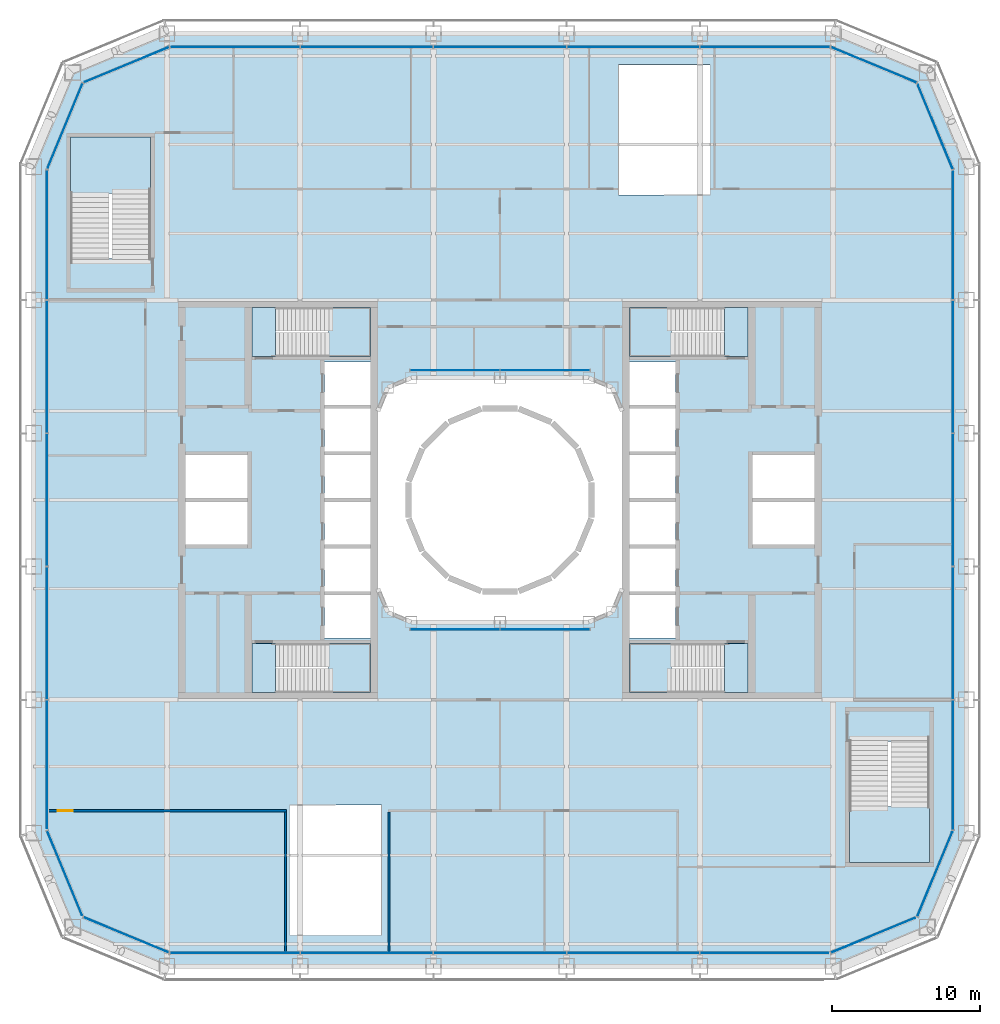
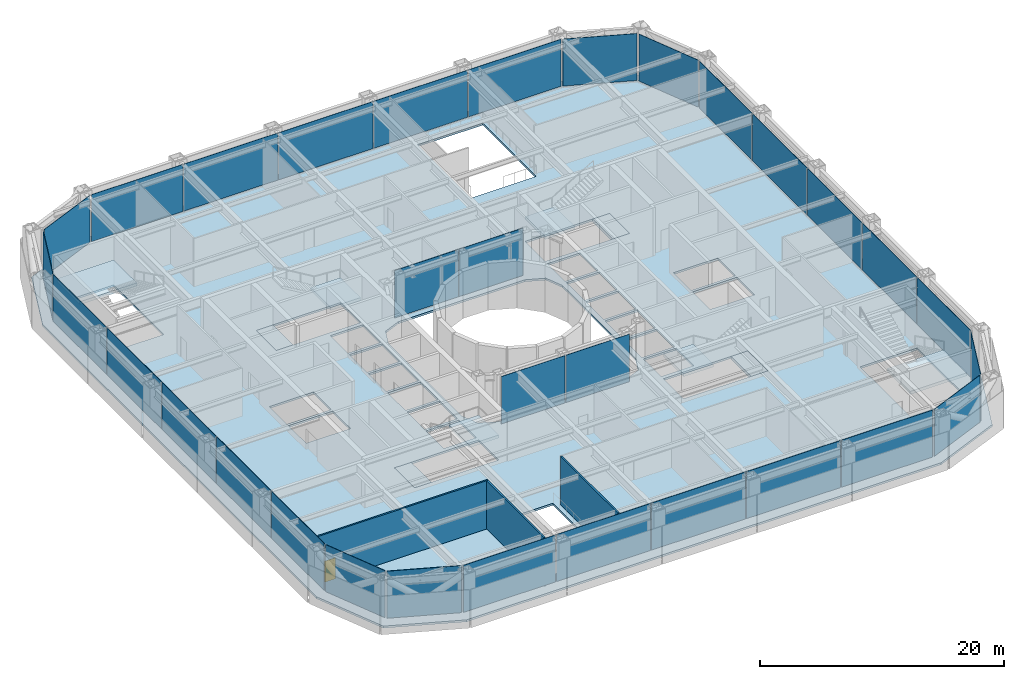
# One storey, part 11 of 24: 32 plates, 11 slabs, 3 walls, 1 door, 1 opening, 20 elements without a shape of their own.
"""IFC4 building model written with IfcOpenShell, lengths in metres."""

from ifc_helpers import new_model, si_unit, direction, frame, frame_2d, origin, origin_2d, place, context, subcontext, project, spatial, polyline, rectangle, outline, extrude, material, layer, layer_set, type_object, element, fill, aggregate, save


model = new_model("IFC4")

# Units and contexts
model_context = context("Model", 3, precision=1e-05, world=origin(), true_north=direction((0.0, 1.0)))
body_context = subcontext(model_context, "Body", "Model", "MODEL_VIEW")
ifc_project = project(units=[si_unit("LENGTHUNIT", "METRE"), si_unit("AREAUNIT", "SQUARE_METRE"), si_unit("VOLUMEUNIT", "CUBIC_METRE"), si_unit("PLANEANGLEUNIT", "RADIAN"), si_unit("MASSUNIT", "GRAM", prefix="KILO")], contexts=[model_context])

# Site, building, storey
site_placement = place(None, origin())
site = spatial("IfcSite", under=ifc_project, at=site_placement, CompositionType="ELEMENT")
building_placement = place(site_placement, origin())
building = spatial("IfcBuilding", under=site, at=building_placement, Name="Siwar Civic Tower", CompositionType="ELEMENT")
storey_placement = place(building_placement, frame((0.0, 0.0, 12.199951171875)))
storey = spatial("IfcBuildingStorey", under=building, at=storey_placement, Name="L02", CompositionType="ELEMENT", Elevation=12.199951171875)

# Stair, slabs
ifc_material_1 = material(Name="Concrete C40/50", Category="concrete")
stair_type_1 = type_object("IfcStairType", Name="CORE-STAIR", PredefinedType="TWO_STRAIGHT_RUN_STAIR", material=ifc_material_1)
stair_1_placement = place(storey_placement, origin())
stair_1 = element("IfcStair", 1, at=stair_1_placement, inside=storey, type_object=stair_type_1, Name="Exit stair ST1", PredefinedType="TWO_STRAIGHT_RUN_STAIR")
ifc_material_2 = material(Name="Concrete C40/50", Category="concrete")
ifc_layer_1 = layer(ifc_material_2, 0.300048828125)
ifc_layer_set_1 = layer_set([ifc_layer_1], Name="Concrete C40/50")
slab_type_1 = type_object("IfcSlabType", Name="CORE-STAIR-LANDING", PredefinedType="LANDING", material=ifc_layer_set_1)
slab_1_placement = place(storey_placement, frame((0.0, 0.0, -0.300048828125)))
slab_1 = element("IfcSlab", 2, at=slab_1_placement, type_object=slab_type_1, Name="ST1 landing 1", PredefinedType="LANDING", context=body_context, shape_type="SweptSolid", body=[
    extrude(outline(polyline([(-15.14990234375, 13.0), (-16.75, 13.0), (-16.75, 9.699951171875), (-15.14990234375, 9.699951171875), (-15.14990234375, 13.0)])), origin(), (0.0, 0.0, 1.0), 0.300048828125),
])
slab_2_placement = place(storey_placement, frame((0.0, 0.0, 2.199951171875)))
slab_2 = element("IfcSlab", 3, at=slab_2_placement, type_object=slab_type_1, Name="ST1 landing 2", PredefinedType="LANDING", context=body_context, shape_type="SweptSolid", body=[
    extrude(outline(polyline([(-8.75, 13.0), (-11.580078125, 13.0), (-11.580078125, 9.699951171875), (-8.75, 9.699951171875), (-8.75, 13.0)])), origin(), (0.0, 0.0, 1.0), 0.300048828125),
])
aggregate(stair_1, [slab_1, slab_2])

stair_2_placement = place(storey_placement, origin())
stair_2 = element("IfcStair", 4, at=stair_2_placement, inside=storey, type_object=stair_type_1, Name="Exit stair ST2", PredefinedType="TWO_STRAIGHT_RUN_STAIR")
slab_3_placement = place(storey_placement, frame((0.0, 0.0, -0.300048828125)))
slab_3 = element("IfcSlab", 5, at=slab_3_placement, type_object=slab_type_1, Name="ST2 landing 1", PredefinedType="LANDING", context=body_context, shape_type="SweptSolid", body=[
    extrude(outline(polyline([(-15.14990234375, -9.699951171875), (-16.75, -9.699951171875), (-16.75, -13.0), (-15.14990234375, -13.0), (-15.14990234375, -9.699951171875)])), origin(), (0.0, 0.0, 1.0), 0.300048828125),
])
slab_4_placement = place(storey_placement, frame((0.0, 0.0, 2.199951171875)))
slab_4 = element("IfcSlab", 6, at=slab_4_placement, type_object=slab_type_1, Name="ST2 landing 2", PredefinedType="LANDING", context=body_context, shape_type="SweptSolid", body=[
    extrude(outline(polyline([(-8.75, -9.699951171875), (-11.580078125, -9.699951171875), (-11.580078125, -13.0), (-8.75, -13.0), (-8.75, -9.699951171875)])), origin(), (0.0, 0.0, 1.0), 0.300048828125),
])
aggregate(stair_2, [slab_3, slab_4])

stair_3_placement = place(storey_placement, origin())
stair_3 = element("IfcStair", 7, at=stair_3_placement, inside=storey, type_object=stair_type_1, Name="Exit stair ST3", PredefinedType="TWO_STRAIGHT_RUN_STAIR")
slab_5_placement = place(storey_placement, frame((0.0, 0.0, -0.300048828125)))
slab_5 = element("IfcSlab", 8, at=slab_5_placement, type_object=slab_type_1, Name="ST3 landing 1", PredefinedType="LANDING", context=body_context, shape_type="SweptSolid", body=[
    extrude(outline(polyline([(15.14990234375, 9.699951171875), (16.75, 9.699951171875), (16.75, 13.0), (15.14990234375, 13.0), (15.14990234375, 9.699951171875)])), origin(), (0.0, 0.0, 1.0), 0.300048828125),
])
slab_6_placement = place(storey_placement, frame((0.0, 0.0, 2.199951171875)))
slab_6 = element("IfcSlab", 9, at=slab_6_placement, type_object=slab_type_1, Name="ST3 landing 2", PredefinedType="LANDING", context=body_context, shape_type="SweptSolid", body=[
    extrude(outline(polyline([(8.75, 9.699951171875), (11.580078125, 9.699951171875), (11.580078125, 13.0), (8.75, 13.0), (8.75, 9.699951171875)])), origin(), (0.0, 0.0, 1.0), 0.300048828125),
])
aggregate(stair_3, [slab_5, slab_6])

stair_4_placement = place(storey_placement, origin())
stair_4 = element("IfcStair", 10, at=stair_4_placement, inside=storey, type_object=stair_type_1, Name="Exit stair ST4", PredefinedType="TWO_STRAIGHT_RUN_STAIR")
slab_7_placement = place(storey_placement, frame((0.0, 0.0, -0.300048828125)))
slab_7 = element("IfcSlab", 11, at=slab_7_placement, type_object=slab_type_1, Name="ST4 landing 1", PredefinedType="LANDING", context=body_context, shape_type="SweptSolid", body=[
    extrude(outline(polyline([(15.14990234375, -13.0), (16.75, -13.0), (16.75, -9.699951171875), (15.14990234375, -9.699951171875), (15.14990234375, -13.0)])), origin(), (0.0, 0.0, 1.0), 0.300048828125),
])
slab_8_placement = place(storey_placement, frame((0.0, 0.0, 2.199951171875)))
slab_8 = element("IfcSlab", 12, at=slab_8_placement, type_object=slab_type_1, Name="ST4 landing 2", PredefinedType="LANDING", context=body_context, shape_type="SweptSolid", body=[
    extrude(outline(polyline([(8.75, -13.0), (11.580078125, -13.0), (11.580078125, -9.699951171875), (8.75, -9.699951171875), (8.75, -13.0)])), origin(), (0.0, 0.0, 1.0), 0.300048828125),
])
aggregate(stair_4, [slab_7, slab_8])

# Curtain wall, plates
ifc_material_3 = material(Name="Aluminium and glass", Category="aluminium")
ifc_layer_2 = layer(ifc_material_3, 0.25)
ifc_layer_set_2 = layer_set([ifc_layer_2], Name="Aluminium and glass")
curtain_wall_type_1 = type_object("IfcCurtainWallType", Name="ENV-CW-H", PredefinedType="NOTDEFINED", material=ifc_layer_set_2)
curtain_wall_1_placement = place(storey_placement, origin())
curtain_wall_1 = element("IfcCurtainWall", 13, at=curtain_wall_1_placement, inside=storey, type_object=curtain_wall_type_1, Name="Curtain wall H S", PredefinedType="NOTDEFINED")
ifc_material_4 = material(Name="Glass clear laminated", Category="glass")
ifc_layer_3 = layer(ifc_material_4, 0.0400390625)
ifc_layer_set_3 = layer_set([ifc_layer_3], Name="Glass clear laminated")
plate_type_1 = type_object("IfcPlateType", Name="ENV-PANEL-H", PredefinedType="CURTAIN_PANEL", material=ifc_layer_set_3)
plate_1_placement = place(storey_placement, frame((-17.910400390625, -30.60009765625, 0.14013671875), z_axis=(0.0, 0.0, 1.0), x_axis=(1.0, 0.0, 0.0)))
plate_1 = element("IfcPlate", 14, at=plate_1_placement, type_object=plate_type_1, Name="Curtain panel H S 1", PredefinedType="CURTAIN_PANEL", context=body_context, shape_type="SweptSolid", body=[
    extrude(rectangle(XDim=8.740966796875, YDim=0.0400390625, at=origin_2d()), origin(), (0.0, 0.0, 1.0), 4.7099609375),
])
plate_2_placement = place(storey_placement, frame((-9.0, -30.60009765625, 0.14013671875), z_axis=(0.0, 0.0, 1.0), x_axis=(1.0, 0.0, 0.0)))
plate_2 = element("IfcPlate", 15, at=plate_2_placement, type_object=plate_type_1, Name="Curtain panel H S 2", PredefinedType="CURTAIN_PANEL", context=body_context, shape_type="SweptSolid", body=[
    extrude(rectangle(XDim=8.919921875, YDim=0.0400390625, at=origin_2d()), origin(), (0.0, 0.0, 1.0), 4.7099609375),
])
plate_3_placement = place(storey_placement, frame((0.0, -30.60009765625, 0.14013671875), z_axis=(0.0, 0.0, 1.0), x_axis=(1.0, 0.0, 0.0)))
plate_3 = element("IfcPlate", 16, at=plate_3_placement, type_object=plate_type_1, Name="Curtain panel H S 3", PredefinedType="CURTAIN_PANEL", context=body_context, shape_type="SweptSolid", body=[
    extrude(rectangle(XDim=8.919921875, YDim=0.0400390625, at=origin_2d()), origin(), (0.0, 0.0, 1.0), 4.7099609375),
])
plate_4_placement = place(storey_placement, frame((9.0, -30.60009765625, 0.14013671875), z_axis=(0.0, 0.0, 1.0), x_axis=(1.0, 0.0, 0.0)))
plate_4 = element("IfcPlate", 17, at=plate_4_placement, type_object=plate_type_1, Name="Curtain panel H S 4", PredefinedType="CURTAIN_PANEL", context=body_context, shape_type="SweptSolid", body=[
    extrude(rectangle(XDim=8.919921875, YDim=0.0400390625, at=origin_2d()), origin(), (0.0, 0.0, 1.0), 4.7099609375),
])
plate_5_placement = place(storey_placement, frame((17.862060546875, -30.60009765625, 0.14013671875), z_axis=(0.0, 0.0, 1.0), x_axis=(1.0, 0.0, 0.0)))
plate_5 = element("IfcPlate", 18, at=plate_5_placement, type_object=plate_type_1, Name="Curtain panel H S 5", PredefinedType="CURTAIN_PANEL", context=body_context, shape_type="SweptSolid", body=[
    extrude(rectangle(XDim=8.644287109375, YDim=0.0400390625, at=origin_2d()), origin(), (0.0, 0.0, 1.0), 4.7099609375),
])
aggregate(curtain_wall_1, [plate_1, plate_2, plate_3, plate_4, plate_5])

curtain_wall_2_placement = place(storey_placement, origin())
curtain_wall_2 = element("IfcCurtainWall", 19, at=curtain_wall_2_placement, inside=storey, type_object=curtain_wall_type_1, Name="Curtain wall H E", PredefinedType="NOTDEFINED")
plate_6_placement = place(storey_placement, frame((30.60009765625, -17.910400390625, 0.14013671875), z_axis=(0.0, 0.0, 1.0), x_axis=(0.0, 1.0, 0.0)))
plate_6 = element("IfcPlate", 20, at=plate_6_placement, type_object=plate_type_1, Name="Curtain panel H E 1", PredefinedType="CURTAIN_PANEL", context=body_context, shape_type="SweptSolid", body=[
    extrude(rectangle(XDim=8.740966796875, YDim=0.0400390625, at=origin_2d()), origin(), (0.0, 0.0, 1.0), 4.7099609375),
])
plate_7_placement = place(storey_placement, frame((30.60009765625, -9.0, 0.14013671875), z_axis=(0.0, 0.0, 1.0), x_axis=(0.0, 1.0, 0.0)))
plate_7 = element("IfcPlate", 21, at=plate_7_placement, type_object=plate_type_1, Name="Curtain panel H E 2", PredefinedType="CURTAIN_PANEL", context=body_context, shape_type="SweptSolid", body=[
    extrude(rectangle(XDim=8.919921875, YDim=0.0400390625, at=origin_2d()), origin(), (0.0, 0.0, 1.0), 4.7099609375),
])
plate_8_placement = place(storey_placement, frame((30.60009765625, 0.0, 0.14013671875), z_axis=(0.0, 0.0, 1.0), x_axis=(0.0, 1.0, 0.0)))
plate_8 = element("IfcPlate", 22, at=plate_8_placement, type_object=plate_type_1, Name="Curtain panel H E 3", PredefinedType="CURTAIN_PANEL", context=body_context, shape_type="SweptSolid", body=[
    extrude(rectangle(XDim=8.919921875, YDim=0.0400390625, at=origin_2d()), origin(), (0.0, 0.0, 1.0), 4.7099609375),
])
plate_9_placement = place(storey_placement, frame((30.60009765625, 9.0, 0.14013671875), z_axis=(0.0, 0.0, 1.0), x_axis=(0.0, 1.0, 0.0)))
plate_9 = element("IfcPlate", 23, at=plate_9_placement, type_object=plate_type_1, Name="Curtain panel H E 4", PredefinedType="CURTAIN_PANEL", context=body_context, shape_type="SweptSolid", body=[
    extrude(rectangle(XDim=8.919921875, YDim=0.0400390625, at=origin_2d()), origin(), (0.0, 0.0, 1.0), 4.7099609375),
])
plate_10_placement = place(storey_placement, frame((30.60009765625, 17.862060546875, 0.14013671875), z_axis=(0.0, 0.0, 1.0), x_axis=(0.0, 1.0, 0.0)))
plate_10 = element("IfcPlate", 24, at=plate_10_placement, type_object=plate_type_1, Name="Curtain panel H E 5", PredefinedType="CURTAIN_PANEL", context=body_context, shape_type="SweptSolid", body=[
    extrude(rectangle(XDim=8.644287109375, YDim=0.0400390625, at=origin_2d()), origin(), (0.0, 0.0, 1.0), 4.7099609375),
])
aggregate(curtain_wall_2, [plate_6, plate_7, plate_8, plate_9, plate_10])

curtain_wall_3_placement = place(storey_placement, origin())
curtain_wall_3 = element("IfcCurtainWall", 25, at=curtain_wall_3_placement, inside=storey, type_object=curtain_wall_type_1, Name="Curtain wall H N", PredefinedType="NOTDEFINED")
plate_11_placement = place(storey_placement, frame((17.910400390625, 30.60009765625, 0.14013671875), z_axis=(0.0, 0.0, 1.0), x_axis=(-1.0, 0.0, 0.0)))
plate_11 = element("IfcPlate", 26, at=plate_11_placement, type_object=plate_type_1, Name="Curtain panel H N 1", PredefinedType="CURTAIN_PANEL", context=body_context, shape_type="SweptSolid", body=[
    extrude(rectangle(XDim=8.740966796875, YDim=0.0400390625, at=origin_2d()), origin(), (0.0, 0.0, 1.0), 4.7099609375),
])
plate_12_placement = place(storey_placement, frame((9.0, 30.60009765625, 0.14013671875), z_axis=(0.0, 0.0, 1.0), x_axis=(-1.0, 0.0, 0.0)))
plate_12 = element("IfcPlate", 27, at=plate_12_placement, type_object=plate_type_1, Name="Curtain panel H N 2", PredefinedType="CURTAIN_PANEL", context=body_context, shape_type="SweptSolid", body=[
    extrude(rectangle(XDim=8.919921875, YDim=0.0400390625, at=origin_2d()), origin(), (0.0, 0.0, 1.0), 4.7099609375),
])
plate_13_placement = place(storey_placement, frame((0.0, 30.60009765625, 0.14013671875), z_axis=(0.0, 0.0, 1.0), x_axis=(-1.0, 0.0, 0.0)))
plate_13 = element("IfcPlate", 28, at=plate_13_placement, type_object=plate_type_1, Name="Curtain panel H N 3", PredefinedType="CURTAIN_PANEL", context=body_context, shape_type="SweptSolid", body=[
    extrude(rectangle(XDim=8.919921875, YDim=0.0400390625, at=origin_2d()), origin(), (0.0, 0.0, 1.0), 4.7099609375),
])
plate_14_placement = place(storey_placement, frame((-9.0, 30.60009765625, 0.14013671875), z_axis=(0.0, 0.0, 1.0), x_axis=(-1.0, 0.0, 0.0)))
plate_14 = element("IfcPlate", 29, at=plate_14_placement, type_object=plate_type_1, Name="Curtain panel H N 4", PredefinedType="CURTAIN_PANEL", context=body_context, shape_type="SweptSolid", body=[
    extrude(rectangle(XDim=8.919921875, YDim=0.0400390625, at=origin_2d()), origin(), (0.0, 0.0, 1.0), 4.7099609375),
])
plate_15_placement = place(storey_placement, frame((-17.862060546875, 30.60009765625, 0.14013671875), z_axis=(0.0, 0.0, 1.0), x_axis=(-1.0, 0.0, 0.0)))
plate_15 = element("IfcPlate", 30, at=plate_15_placement, type_object=plate_type_1, Name="Curtain panel H N 5", PredefinedType="CURTAIN_PANEL", context=body_context, shape_type="SweptSolid", body=[
    extrude(rectangle(XDim=8.644287109375, YDim=0.0400390625, at=origin_2d()), origin(), (0.0, 0.0, 1.0), 4.7099609375),
])
aggregate(curtain_wall_3, [plate_11, plate_12, plate_13, plate_14, plate_15])

curtain_wall_4_placement = place(storey_placement, origin())
curtain_wall_4 = element("IfcCurtainWall", 31, at=curtain_wall_4_placement, inside=storey, type_object=curtain_wall_type_1, Name="Curtain wall H W", PredefinedType="NOTDEFINED")
plate_16_placement = place(storey_placement, frame((-30.60009765625, 17.910400390625, 0.14013671875), z_axis=(0.0, 0.0, 1.0), x_axis=(0.0, -1.0, 0.0)))
plate_16 = element("IfcPlate", 32, at=plate_16_placement, type_object=plate_type_1, Name="Curtain panel H W 1", PredefinedType="CURTAIN_PANEL", context=body_context, shape_type="SweptSolid", body=[
    extrude(rectangle(XDim=8.740966796875, YDim=0.0400390625, at=origin_2d()), origin(), (0.0, 0.0, 1.0), 4.7099609375),
])
plate_17_placement = place(storey_placement, frame((-30.60009765625, 9.0, 0.14013671875), z_axis=(0.0, 0.0, 1.0), x_axis=(0.0, -1.0, 0.0)))
plate_17 = element("IfcPlate", 33, at=plate_17_placement, type_object=plate_type_1, Name="Curtain panel H W 2", PredefinedType="CURTAIN_PANEL", context=body_context, shape_type="SweptSolid", body=[
    extrude(rectangle(XDim=8.919921875, YDim=0.0400390625, at=origin_2d()), origin(), (0.0, 0.0, 1.0), 4.7099609375),
])
plate_18_placement = place(storey_placement, frame((-30.60009765625, 0.0, 0.14013671875), z_axis=(0.0, 0.0, 1.0), x_axis=(0.0, -1.0, 0.0)))
plate_18 = element("IfcPlate", 34, at=plate_18_placement, type_object=plate_type_1, Name="Curtain panel H W 3", PredefinedType="CURTAIN_PANEL", context=body_context, shape_type="SweptSolid", body=[
    extrude(rectangle(XDim=8.919921875, YDim=0.0400390625, at=origin_2d()), origin(), (0.0, 0.0, 1.0), 4.7099609375),
])
plate_19_placement = place(storey_placement, frame((-30.60009765625, -9.0, 0.14013671875), z_axis=(0.0, 0.0, 1.0), x_axis=(0.0, -1.0, 0.0)))
plate_19 = element("IfcPlate", 35, at=plate_19_placement, type_object=plate_type_1, Name="Curtain panel H W 4", PredefinedType="CURTAIN_PANEL", context=body_context, shape_type="SweptSolid", body=[
    extrude(rectangle(XDim=8.919921875, YDim=0.0400390625, at=origin_2d()), origin(), (0.0, 0.0, 1.0), 4.7099609375),
])
plate_20_placement = place(storey_placement, frame((-30.60009765625, -17.862060546875, 0.14013671875), z_axis=(0.0, 0.0, 1.0), x_axis=(0.0, -1.0, 0.0)))
plate_20 = element("IfcPlate", 36, at=plate_20_placement, type_object=plate_type_1, Name="Curtain panel H W 5", PredefinedType="CURTAIN_PANEL", context=body_context, shape_type="SweptSolid", body=[
    extrude(rectangle(XDim=8.644287109375, YDim=0.0400390625, at=origin_2d()), origin(), (0.0, 0.0, 1.0), 4.7099609375),
])
aggregate(curtain_wall_4, [plate_16, plate_17, plate_18, plate_19, plate_20])

# Curtain wall, plate
ifc_material_5 = material(Name="Aluminium clad insulated panel", Category="aluminium")
ifc_layer_4 = layer(ifc_material_5, 0.25)
ifc_layer_set_4 = layer_set([ifc_layer_4], Name="Aluminium clad insulated panel")
curtain_wall_type_2 = type_object("IfcCurtainWallType", Name="ENV-CW-HX", PredefinedType="NOTDEFINED", material=ifc_layer_set_4)
curtain_wall_5_placement = place(storey_placement, origin())
curtain_wall_5 = element("IfcCurtainWall", 37, at=curtain_wall_5_placement, inside=storey, type_object=curtain_wall_type_2, Name="Curtain wall H SE1", PredefinedType="NOTDEFINED")
ifc_material_6 = material(Name="Aluminium clad insulated panel", Category="aluminium")
ifc_layer_5 = layer(ifc_material_6, 0.0400390625)
ifc_layer_set_5 = layer_set([ifc_layer_5], Name="Aluminium clad insulated panel")
plate_type_2 = type_object("IfcPlateType", Name="ENV-PANEL-HX", PredefinedType="CURTAIN_PANEL", material=ifc_layer_set_5)
plate_21_placement = place(storey_placement, frame((25.203369140625, -29.406005859375, 0.14013671875), z_axis=(0.0, 0.0, 1.0), x_axis=(0.923879532511, 0.382683432365, 0.0)))
plate_21 = element("IfcPlate", 38, at=plate_21_placement, type_object=plate_type_2, Name="Curtain panel H SE1 1", PredefinedType="CURTAIN_PANEL", context=body_context, shape_type="SweptSolid", body=[
    extrude(rectangle(XDim=6.159912109375, YDim=0.0400390625, at=origin_2d()), origin(), (0.0, 0.0, 1.0), 4.7099609375),
])
aggregate(curtain_wall_5, [plate_21])

curtain_wall_6_placement = place(storey_placement, origin())
curtain_wall_6 = element("IfcCurtainWall", 39, at=curtain_wall_6_placement, inside=storey, type_object=curtain_wall_type_2, Name="Curtain wall H SE2", PredefinedType="NOTDEFINED")
plate_22_placement = place(storey_placement, frame((29.369140625, -25.292724609375, 0.14013671875), z_axis=(0.0, 0.0, 1.0), x_axis=(0.382683432365, 0.923879532511, 0.0)))
plate_22 = element("IfcPlate", 40, at=plate_22_placement, type_object=plate_type_2, Name="Curtain panel H SE2 1", PredefinedType="CURTAIN_PANEL", context=body_context, shape_type="SweptSolid", body=[
    extrude(rectangle(XDim=6.159912109375, YDim=0.0400390625, at=origin_2d()), origin(), (0.0, 0.0, 1.0), 4.7099609375),
])
aggregate(curtain_wall_6, [plate_22])

curtain_wall_7_placement = place(storey_placement, origin())
curtain_wall_7 = element("IfcCurtainWall", 41, at=curtain_wall_7_placement, inside=storey, type_object=curtain_wall_type_2, Name="Curtain wall H NE1", PredefinedType="NOTDEFINED")
plate_23_placement = place(storey_placement, frame((29.406005859375, 25.203369140625, 0.14013671875), z_axis=(0.0, 0.0, 1.0), x_axis=(-0.382683432365, 0.923879532511, 0.0)))
plate_23 = element("IfcPlate", 42, at=plate_23_placement, type_object=plate_type_2, Name="Curtain panel H NE1 1", PredefinedType="CURTAIN_PANEL", context=body_context, shape_type="SweptSolid", body=[
    extrude(rectangle(XDim=6.159912109375, YDim=0.0400390625, at=origin_2d()), origin(), (0.0, 0.0, 1.0), 4.7099609375),
])
aggregate(curtain_wall_7, [plate_23])

curtain_wall_8_placement = place(storey_placement, origin())
curtain_wall_8 = element("IfcCurtainWall", 43, at=curtain_wall_8_placement, inside=storey, type_object=curtain_wall_type_2, Name="Curtain wall H NE2", PredefinedType="NOTDEFINED")
plate_24_placement = place(storey_placement, frame((25.292724609375, 29.369140625, 0.14013671875), z_axis=(0.0, 0.0, 1.0), x_axis=(-0.923879532511, 0.382683432365, 0.0)))
plate_24 = element("IfcPlate", 44, at=plate_24_placement, type_object=plate_type_2, Name="Curtain panel H NE2 1", PredefinedType="CURTAIN_PANEL", context=body_context, shape_type="SweptSolid", body=[
    extrude(rectangle(XDim=6.159912109375, YDim=0.0400390625, at=origin_2d()), origin(), (0.0, 0.0, 1.0), 4.7099609375),
])
aggregate(curtain_wall_8, [plate_24])

curtain_wall_9_placement = place(storey_placement, origin())
curtain_wall_9 = element("IfcCurtainWall", 45, at=curtain_wall_9_placement, inside=storey, type_object=curtain_wall_type_2, Name="Curtain wall H NW1", PredefinedType="NOTDEFINED")
plate_25_placement = place(storey_placement, frame((-25.203369140625, 29.406005859375, 0.14013671875), z_axis=(0.0, 0.0, 1.0), x_axis=(-0.923879532511, -0.382683432365, 0.0)))
plate_25 = element("IfcPlate", 46, at=plate_25_placement, type_object=plate_type_2, Name="Curtain panel H NW1 1", PredefinedType="CURTAIN_PANEL", context=body_context, shape_type="SweptSolid", body=[
    extrude(rectangle(XDim=6.159912109375, YDim=0.0400390625, at=origin_2d()), origin(), (0.0, 0.0, 1.0), 4.7099609375),
])
aggregate(curtain_wall_9, [plate_25])

curtain_wall_10_placement = place(storey_placement, origin())
curtain_wall_10 = element("IfcCurtainWall", 47, at=curtain_wall_10_placement, inside=storey, type_object=curtain_wall_type_2, Name="Curtain wall H NW2", PredefinedType="NOTDEFINED")
plate_26_placement = place(storey_placement, frame((-29.369140625, 25.292724609375, 0.14013671875), z_axis=(0.0, 0.0, 1.0), x_axis=(-0.382683432365, -0.923879532511, 0.0)))
plate_26 = element("IfcPlate", 48, at=plate_26_placement, type_object=plate_type_2, Name="Curtain panel H NW2 1", PredefinedType="CURTAIN_PANEL", context=body_context, shape_type="SweptSolid", body=[
    extrude(rectangle(XDim=6.159912109375, YDim=0.0400390625, at=origin_2d()), origin(), (0.0, 0.0, 1.0), 4.7099609375),
])
aggregate(curtain_wall_10, [plate_26])

curtain_wall_11_placement = place(storey_placement, origin())
curtain_wall_11 = element("IfcCurtainWall", 49, at=curtain_wall_11_placement, inside=storey, type_object=curtain_wall_type_2, Name="Curtain wall H SW1", PredefinedType="NOTDEFINED")
plate_27_placement = place(storey_placement, frame((-29.406005859375, -25.203369140625, 0.14013671875), z_axis=(0.0, 0.0, 1.0), x_axis=(0.382683432365, -0.923879532511, 0.0)))
plate_27 = element("IfcPlate", 50, at=plate_27_placement, type_object=plate_type_2, Name="Curtain panel H SW1 1", PredefinedType="CURTAIN_PANEL", context=body_context, shape_type="SweptSolid", body=[
    extrude(rectangle(XDim=6.159912109375, YDim=0.0400390625, at=origin_2d()), origin(), (0.0, 0.0, 1.0), 4.7099609375),
])
aggregate(curtain_wall_11, [plate_27])

curtain_wall_12_placement = place(storey_placement, origin())
curtain_wall_12 = element("IfcCurtainWall", 51, at=curtain_wall_12_placement, inside=storey, type_object=curtain_wall_type_2, Name="Curtain wall H SW2", PredefinedType="NOTDEFINED")
plate_28_placement = place(storey_placement, frame((-25.292724609375, -29.369140625, 0.14013671875), z_axis=(0.0, 0.0, 1.0), x_axis=(0.923879532511, -0.382683432365, 0.0)))
plate_28 = element("IfcPlate", 52, at=plate_28_placement, type_object=plate_type_2, Name="Curtain panel H SW2 1", PredefinedType="CURTAIN_PANEL", context=body_context, shape_type="SweptSolid", body=[
    extrude(rectangle(XDim=6.159912109375, YDim=0.0400390625, at=origin_2d()), origin(), (0.0, 0.0, 1.0), 4.7099609375),
])
aggregate(curtain_wall_12, [plate_28])

# Curtain wall, plates
ifc_material_7 = material(Name="Aluminium and glass", Category="aluminium")
ifc_layer_6 = layer(ifc_material_7, 0.179931640625)
ifc_layer_set_6 = layer_set([ifc_layer_6], Name="Aluminium and glass")
curtain_wall_type_3 = type_object("IfcCurtainWallType", Name="ENV-CW-W", PredefinedType="NOTDEFINED", material=ifc_layer_set_6)
curtain_wall_13_placement = place(storey_placement, origin())
curtain_wall_13 = element("IfcCurtainWall", 53, at=curtain_wall_13_placement, inside=storey, type_object=curtain_wall_type_3, Name="Curtain wall W WS", PredefinedType="NOTDEFINED")
ifc_material_8 = material(Name="Glass clear laminated", Category="glass")
ifc_layer_7 = layer(ifc_material_8, 0.031982421875)
ifc_layer_set_7 = layer_set([ifc_layer_7], Name="Glass clear laminated")
plate_type_3 = type_object("IfcPlateType", Name="ENV-PANEL-W", PredefinedType="CURTAIN_PANEL", material=ifc_layer_set_7)
plate_29_placement = place(storey_placement, frame((-3.05078125, -8.760009765625, 0.10009765625), z_axis=(0.0, 0.0, 1.0), x_axis=(1.0, 0.0, 0.0)))
plate_29 = element("IfcPlate", 54, at=plate_29_placement, type_object=plate_type_3, Name="Curtain panel W WS 1", PredefinedType="CURTAIN_PANEL", context=body_context, shape_type="SweptSolid", body=[
    extrude(rectangle(XDim=6.04150390625, YDim=0.031982421875, at=origin_2d()), origin(), (0.0, 0.0, 1.0), 4.75),
])
plate_30_placement = place(storey_placement, frame((3.05078125, -8.760009765625, 0.10009765625), z_axis=(0.0, 0.0, 1.0), x_axis=(1.0, 0.0, 0.0)))
plate_30 = element("IfcPlate", 55, at=plate_30_placement, type_object=plate_type_3, Name="Curtain panel W WS 2", PredefinedType="CURTAIN_PANEL", context=body_context, shape_type="SweptSolid", body=[
    extrude(rectangle(XDim=6.04150390625, YDim=0.031982421875, at=origin_2d()), origin(), (0.0, 0.0, 1.0), 4.75),
])
aggregate(curtain_wall_13, [plate_29, plate_30])

curtain_wall_14_placement = place(storey_placement, origin())
curtain_wall_14 = element("IfcCurtainWall", 56, at=curtain_wall_14_placement, inside=storey, type_object=curtain_wall_type_3, Name="Curtain wall W WN", PredefinedType="NOTDEFINED")
plate_31_placement = place(storey_placement, frame((3.05078125, 8.760009765625, 0.10009765625), z_axis=(0.0, 0.0, 1.0), x_axis=(-1.0, 0.0, 0.0)))
plate_31 = element("IfcPlate", 57, at=plate_31_placement, type_object=plate_type_3, Name="Curtain panel W WN 1", PredefinedType="CURTAIN_PANEL", context=body_context, shape_type="SweptSolid", body=[
    extrude(rectangle(XDim=6.04150390625, YDim=0.031982421875, at=origin_2d()), origin(), (0.0, 0.0, 1.0), 4.75),
])
plate_32_placement = place(storey_placement, frame((-3.05078125, 8.760009765625, 0.10009765625), z_axis=(0.0, 0.0, 1.0), x_axis=(-1.0, 0.0, 0.0)))
plate_32 = element("IfcPlate", 58, at=plate_32_placement, type_object=plate_type_3, Name="Curtain panel W WN 2", PredefinedType="CURTAIN_PANEL", context=body_context, shape_type="SweptSolid", body=[
    extrude(rectangle(XDim=6.04150390625, YDim=0.031982421875, at=origin_2d()), origin(), (0.0, 0.0, 1.0), 4.75),
])
aggregate(curtain_wall_14, [plate_31, plate_32])

# Stair, slab
ifc_material_9 = material(Name="Concrete C40/50", Category="concrete")
stair_type_2 = type_object("IfcStairType", Name="GND-ES-STAIR-UPPER", PredefinedType="TWO_STRAIGHT_RUN_STAIR", material=ifc_material_9)
stair_5_placement = place(storey_placement, origin())
stair_5 = element("IfcStair", 59, at=stair_5_placement, inside=storey, type_object=stair_type_2, Name="Exit stair ST5", PredefinedType="TWO_STRAIGHT_RUN_STAIR")
ifc_material_10 = material(Name="Concrete C40/50", Category="concrete")
ifc_layer_8 = layer(ifc_material_10, 0.300048828125)
ifc_layer_set_8 = layer_set([ifc_layer_8], Name="Concrete C40/50")
slab_type_2 = type_object("IfcSlabType", Name="GND-ES-LANDING", PredefinedType="LANDING", material=ifc_layer_set_8)
slab_9_placement = place(storey_placement, frame((0.0, 0.0, 2.199951171875)))
slab_9 = element("IfcSlab", 60, at=slab_9_placement, type_object=slab_type_2, Name="ST5 landing 1", PredefinedType="LANDING", context=body_context, shape_type="SweptSolid", body=[
    extrude(outline(polyline([(-29.0, 20.7099609375), (-23.60009765625, 20.7099609375), (-23.60009765625, 24.5), (-29.0, 24.5), (-29.0, 20.7099609375)])), origin(), (0.0, 0.0, 1.0), 0.300048828125),
])
aggregate(stair_5, [slab_9])

stair_6_placement = place(storey_placement, origin())
stair_6 = element("IfcStair", 61, at=stair_6_placement, inside=storey, type_object=stair_type_2, Name="Exit stair ST6", PredefinedType="TWO_STRAIGHT_RUN_STAIR")
slab_10_placement = place(storey_placement, frame((0.0, 0.0, 2.199951171875)))
slab_10 = element("IfcSlab", 62, at=slab_10_placement, type_object=slab_type_2, Name="ST6 landing 1", PredefinedType="LANDING", context=body_context, shape_type="SweptSolid", body=[
    extrude(outline(polyline([(29.0, -20.7099609375), (23.60009765625, -20.7099609375), (23.60009765625, -24.5), (29.0, -24.5), (29.0, -20.7099609375)])), origin(), (0.0, 0.0, 1.0), 0.300048828125),
])
aggregate(stair_6, [slab_10])

# Slab
ifc_material_11 = material(Name="Concrete C40/50", Category="concrete")
ifc_layer_9 = layer(ifc_material_11, 0.199951171875)
ifc_layer_set_9 = layer_set([ifc_layer_9], Name="Concrete C40/50")
slab_type_3 = type_object("IfcSlabType", Name="STR-FLOOR-DECK-200", PredefinedType="FLOOR", material=ifc_layer_set_9)
slab_11_placement = place(storey_placement, frame((0.0, 0.0, -0.199951171875)))
element("IfcSlab", 63, at=slab_11_placement, inside=storey, type_object=slab_type_3, Name="L02/slab/1", PredefinedType="FLOOR", context=body_context, shape_type="SweptSolid", body=[
    extrude(outline(polyline([(-22.5, -31.5), (22.5, -31.5), (28.864013671875, -28.864013671875), (31.5, -22.5), (31.5, 22.5), (28.864013671875, 28.864013671875), (22.5, 31.5), (-22.5, 31.5), (-28.864013671875, 28.864013671875), (-31.5, 22.5), (-31.5, -22.5), (-28.864013671875, -28.864013671875), (-22.5, -31.5)]), holes=[polyline([(29.0, -16.300048828125), (29.0, -24.5), (23.60009765625, -24.5), (23.60009765625, -16.300048828125), (29.0, -16.300048828125)]), polyline([(21.25, 3.02490234375), (21.25, 0.125), (17.050048828125, 0.125), (17.050048828125, 3.02490234375), (21.25, 3.02490234375)]), polyline([(17.050048828125, -0.125), (21.25, -0.125), (21.25, -3.02490234375), (17.050048828125, -3.02490234375), (17.050048828125, -0.125)]), polyline([(16.75, 13.0), (16.75, 9.699951171875), (8.75, 9.699951171875), (8.75, 13.0), (16.75, 13.0)]), polyline([(16.75, -9.699951171875), (16.75, -13.0), (8.75, -13.0), (8.75, -9.699951171875), (16.75, -9.699951171875)]), polyline([(14.199951171875, 29.39990234375), (14.199951171875, 20.60009765625), (8.0, 20.60009765625), (8.0, 29.39990234375), (14.199951171875, 29.39990234375)]), polyline([(11.85009765625, 9.324951171875), (11.85009765625, 6.425048828125), (8.75, 6.425048828125), (8.75, 9.324951171875), (11.85009765625, 9.324951171875)]), polyline([(11.85009765625, 6.175048828125), (11.85009765625, 3.27490234375), (8.75, 3.27490234375), (8.75, 6.175048828125), (11.85009765625, 6.175048828125)]), polyline([(11.85009765625, 3.02490234375), (11.85009765625, 0.125), (8.75, 0.125), (8.75, 3.02490234375), (11.85009765625, 3.02490234375)]), polyline([(11.85009765625, -0.125), (11.85009765625, -3.02490234375), (8.75, -3.02490234375), (8.75, -0.125), (11.85009765625, -0.125)]), polyline([(11.85009765625, -3.27490234375), (11.85009765625, -6.175048828125), (8.75, -6.175048828125), (8.75, -3.27490234375), (11.85009765625, -3.27490234375)]), polyline([(8.75, -6.425048828125), (11.85009765625, -6.425048828125), (11.85009765625, -9.324951171875), (8.75, -9.324951171875), (8.75, -6.425048828125)]), polyline([(-6.0, 8.25), (6.0, 8.25), (7.591064453125, 7.591064453125), (8.25, 6.0), (8.25, -6.0), (7.591064453125, -7.591064453125), (6.0, -8.25), (-6.0, -8.25), (-7.591064453125, -7.591064453125), (-8.25, -6.0), (-8.25, 6.0), (-7.591064453125, 7.591064453125), (-6.0, 8.25)]), polyline([(-14.199951171875, -20.60009765625), (-8.0, -20.60009765625), (-8.0, -29.39990234375), (-14.199951171875, -29.39990234375), (-14.199951171875, -20.60009765625)]), polyline([(-8.75, 3.27490234375), (-11.85009765625, 3.27490234375), (-11.85009765625, 6.175048828125), (-8.75, 6.175048828125), (-8.75, 3.27490234375)]), polyline([(-8.75, -6.175048828125), (-11.85009765625, -6.175048828125), (-11.85009765625, -3.27490234375), (-8.75, -3.27490234375), (-8.75, -6.175048828125)]), polyline([(-11.85009765625, 6.425048828125), (-11.85009765625, 9.324951171875), (-8.75, 9.324951171875), (-8.75, 6.425048828125), (-11.85009765625, 6.425048828125)]), polyline([(-11.85009765625, 0.125), (-11.85009765625, 3.02490234375), (-8.75, 3.02490234375), (-8.75, 0.125), (-11.85009765625, 0.125)]), polyline([(-11.85009765625, -3.02490234375), (-11.85009765625, -0.125), (-8.75, -0.125), (-8.75, -3.02490234375), (-11.85009765625, -3.02490234375)]), polyline([(-11.85009765625, -9.324951171875), (-11.85009765625, -6.425048828125), (-8.75, -6.425048828125), (-8.75, -9.324951171875), (-11.85009765625, -9.324951171875)]), polyline([(-16.75, 9.699951171875), (-16.75, 13.0), (-8.75, 13.0), (-8.75, 9.699951171875), (-16.75, 9.699951171875)]), polyline([(-16.75, -13.0), (-16.75, -9.699951171875), (-8.75, -9.699951171875), (-8.75, -13.0), (-16.75, -13.0)]), polyline([(-21.25, 0.125), (-21.25, 3.02490234375), (-17.050048828125, 3.02490234375), (-17.050048828125, 0.125), (-21.25, 0.125)]), polyline([(-21.25, -3.02490234375), (-21.25, -0.125), (-17.050048828125, -0.125), (-17.050048828125, -3.02490234375), (-21.25, -3.02490234375)]), polyline([(-29.0, 24.5), (-23.60009765625, 24.5), (-23.60009765625, 16.300048828125), (-29.0, 16.300048828125), (-29.0, 24.5)])]), origin(), (0.0, 0.0, 1.0), 0.199951171875),
])

# Wall, opening, door
ifc_material_12 = material(Name="Gypsum board on steel studs", Category="steel")
ifc_layer_10 = layer(ifc_material_12, 0.14990234375)
ifc_layer_set_10 = layer_set([ifc_layer_10], Name="Gypsum board on steel studs")
wall_type = type_object("IfcWallType", Name="CORRIDOR PARTITION 150 EI 30", PredefinedType="PARTITIONING", material=ifc_layer_set_10)
wall_placement = place(storey_placement, frame((-30.510009765625, -21.0, 0.0), z_axis=(0.0, 0.0, 1.0), x_axis=(1.0, 0.0, 0.0)))
wall = element("IfcWall", 64, at=wall_placement, inside=storey, type_object=wall_type, Name="L02/wall/P02", PredefinedType="PARTITIONING", context=body_context, shape_type="SweptSolid", body=[
    extrude(rectangle(XDim=16.0849609375, YDim=0.14990234375, at=frame_2d((8.04248046875, 0.0))), origin(), (0.0, 0.0, 1.0), 4.85009765625),
])
opening_placement = place(wall_placement, frame((0.64990234375, 0.0, 0.0)))
opening = element("IfcOpeningElement", 65, at=opening_placement, cuts=wall, Name="Opening D1", PredefinedType="OPENING", context=body_context, shape_type="SweptSolid", body=[
    extrude(rectangle(XDim=1.0, YDim=2.10009765625, at=frame_2d((0.5, 1.050048828125))), frame((0.0, 0.0849609375, 0.0), z_axis=(0.0, -1.0, 0.0), x_axis=(1.0, 0.0, 0.0)), (0.0, 0.0, 1.0), 0.169921875),
])
ifc_material_13 = material(Name="Timber, painted", Category="wood")
door_type = type_object("IfcDoorType", Name="DOOR 1000 X 2100 FD30", OperationType="SINGLE_SWING_LEFT", PredefinedType="DOOR", material=ifc_material_13)
door_placement = place(opening_placement, origin())
door = element("IfcDoor", 66, at=door_placement, inside=storey, type_object=door_type, Name="L02-D07", OperationType="SINGLE_SWING_LEFT", OverallHeight=2.10009765625, OverallWidth=1.0, PredefinedType="DOOR", context=body_context, shape_type="SweptSolid", body=[
    extrude(rectangle(XDim=1.0, YDim=2.10009765625, at=frame_2d((0.5, 1.050048828125))), frame((0.0, 0.02490234375, 0.0), z_axis=(0.0, -1.0, 0.0), x_axis=(1.0, 0.0, 0.0)), (0.0, 0.0, 1.0), 0.050048828125),
])
fill(opening, door)

# Walls
for number, where, z_axis, x_axis, name in (
    (67, (-14.5, -30.510009765625, 0.0), (0.0, 0.0, 1.0), (0.0, 1.0, 0.0), "L02/wall/P18"),
    (68, (-7.5, -30.510009765625, 0.0), (0.0, 0.0, 1.0), (0.0, 1.0, 0.0), "L02/wall/P19"),
):
    element("IfcWall", number, at=place(storey_placement, frame(where, z_axis=z_axis, x_axis=x_axis)), inside=storey, type_object=wall_type, Name=name, PredefinedType="PARTITIONING", context=body_context, shape_type="SweptSolid", body=[
        extrude(rectangle(XDim=9.43505859375, YDim=0.14990234375, at=frame_2d((4.717529296875, 0.0))), origin(), (0.0, 0.0, 1.0), 4.85009765625),
    ])

save(model, "model.ifc")
